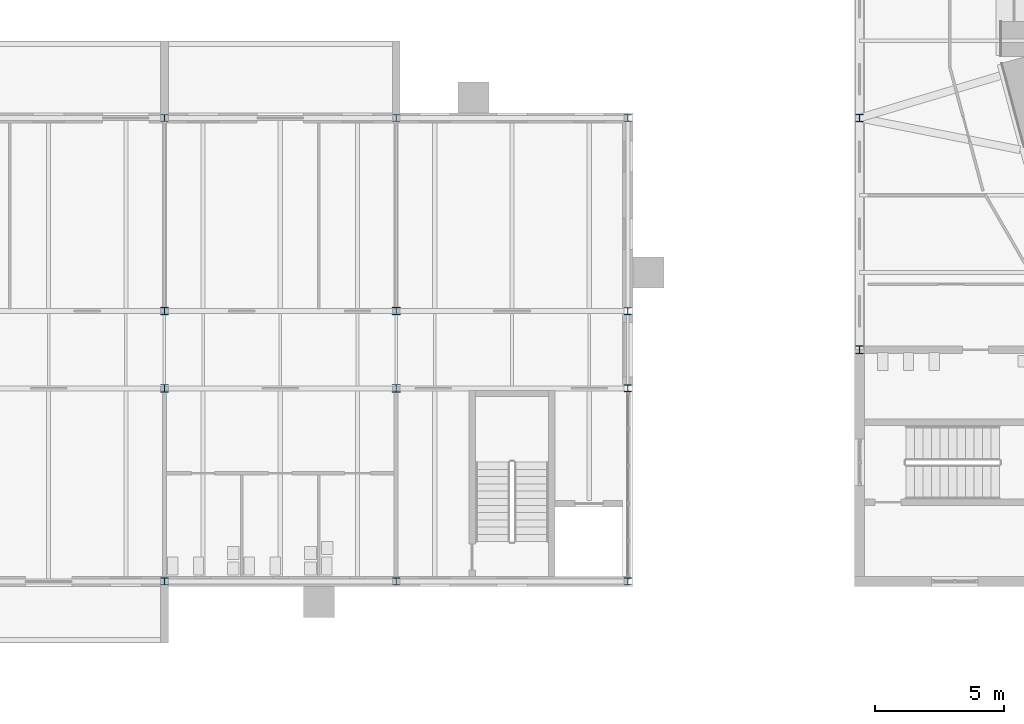
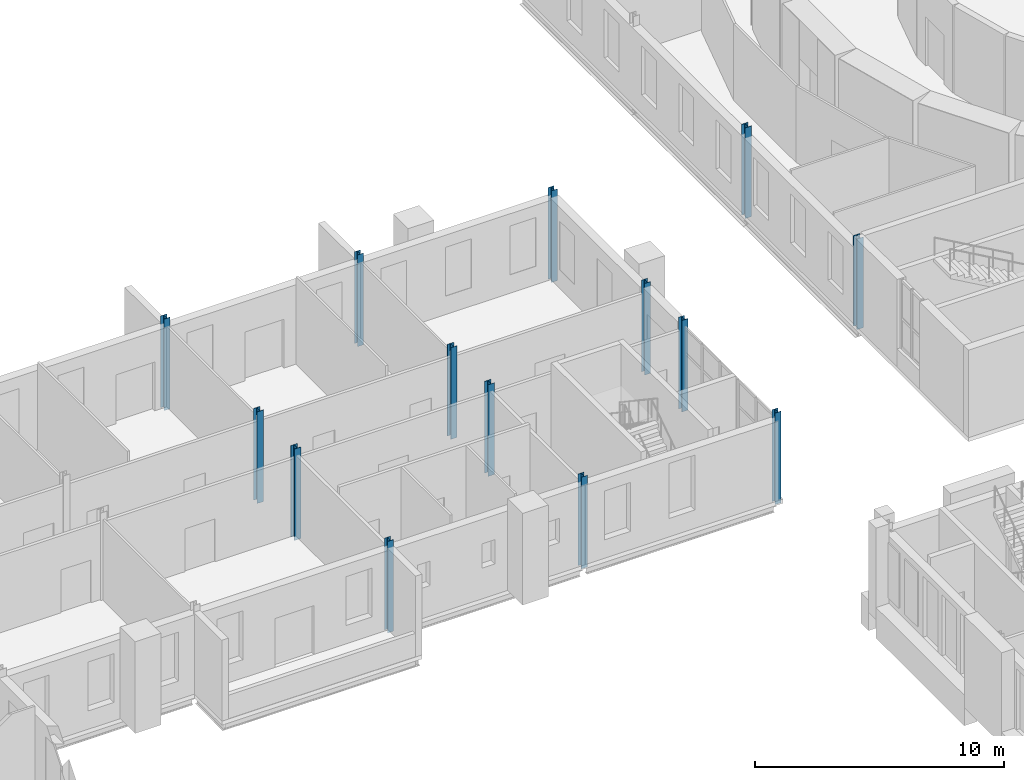
# One storey, part 10 of 131: 14 columns.
"""IFC4 building model written with IfcOpenShell, lengths in metres."""

from ifc_helpers import new_model, si_unit, direction, frame, origin, origin_2d, place, context, subcontext, project, spatial, i_section, extrude, material, material_profile, profile_set, type_object, element, save


model = new_model("IFC4")

# Units and contexts
model_context = context("Model", 3, precision=1e-05, world=origin(), true_north=direction((0.0, 1.0)))
body_context = subcontext(model_context, "Body", "Model", "MODEL_VIEW")
ifc_project = project(units=[si_unit("LENGTHUNIT", "METRE"), si_unit("AREAUNIT", "SQUARE_METRE"), si_unit("VOLUMEUNIT", "CUBIC_METRE"), si_unit("PLANEANGLEUNIT", "RADIAN"), si_unit("MASSUNIT", "GRAM", prefix="KILO")], contexts=[model_context])

# Site, building, storey
site_placement = place(None, origin())
site = spatial("IfcSite", under=ifc_project, at=site_placement, CompositionType="ELEMENT")
building_placement = place(site_placement, origin())
building = spatial("IfcBuilding", under=site, at=building_placement, Name="Golden Quay Civic Hall", CompositionType="ELEMENT")
storey_placement = place(building_placement, frame((0.0, 0.0, 9.89990234375)))
storey = spatial("IfcBuildingStorey", under=building, at=storey_placement, Name="L02", CompositionType="ELEMENT", Elevation=9.89990234375)

# Columns
ifc_material_1 = material(Name="Steel S355", Category="steel")
ifc_material_profile_1 = material_profile(ifc_material_1, i_section(OverallWidth=0.280029296875, OverallDepth=0.27001953125, WebThickness=0.008056640625, FlangeThickness=0.012939453125, FilletRadius=0.02392578125, at=origin_2d()), Name="HEA 280")
ifc_profile_set_1 = profile_set([ifc_material_profile_1], Name="Steel S355")
column_type_1 = type_object("IfcColumnType", Name="Steel column HEA 280", PredefinedType="COLUMN", material=ifc_profile_set_1)
for number, where, z_axis, x_axis, name in (
    (1, (36.0, 63.0, -0.199951171875), (0.0, 0.0, 1.0), (1.0, 0.0, 0.0), "Column 36/63 L02"),
    (2, (36.0, 81.0, -0.199951171875), (0.0, 0.0, 1.0), (1.0, 0.0, 0.0), "Column 36/81 L02"),
    (3, (45.0, 63.0, -0.199951171875), (0.0, 0.0, 1.0), (1.0, 0.0, 0.0), "Column 45/63 L02"),
    (4, (45.0, 81.0, -0.199951171875), (0.0, 0.0, 1.0), (1.0, 0.0, 0.0), "Column 45/81 L02"),
    (5, (54.0, 63.0, -0.199951171875), (0.0, 0.0, 1.0), (1.0, 0.0, 0.0), "Column 54/63 L02"),
    (6, (54.0, 70.5, -0.199951171875), (0.0, 0.0, 1.0), (1.0, 0.0, 0.0), "Column 54/70.5 L02"),
    (7, (54.0, 73.5, -0.199951171875), (0.0, 0.0, 1.0), (1.0, 0.0, 0.0), "Column 54/73.5 L02"),
    (8, (54.0, 81.0, -0.199951171875), (0.0, 0.0, 1.0), (1.0, 0.0, 0.0), "Column 54/81 L02"),
):
    element("IfcColumn", number, at=place(storey_placement, frame(where, z_axis=z_axis, x_axis=x_axis)), inside=storey, type_object=column_type_1, Name=name, PredefinedType="COLUMN", context=body_context, shape_type="SweptSolid", body=[
        extrude(i_section(OverallWidth=0.280029296875, OverallDepth=0.27001953125, WebThickness=0.008056640625, FlangeThickness=0.012939453125, FilletRadius=0.02392578125, at=origin_2d()), origin(), (0.0, 0.0, 1.0), 4.5),
    ])
ifc_material_2 = material(Name="Steel S355", Category="steel")
ifc_material_profile_2 = material_profile(ifc_material_2, i_section(OverallWidth=0.300048828125, OverallDepth=0.2900390625, WebThickness=0.008544921875, FlangeThickness=0.013916015625, FilletRadius=0.027099609375, at=origin_2d()), Name="HEA 300")
ifc_profile_set_2 = profile_set([ifc_material_profile_2], Name="Steel S355")
column_type_2 = type_object("IfcColumnType", Name="Steel column HEA 300", PredefinedType="COLUMN", material=ifc_profile_set_2)
for number, where, z_axis, x_axis, name in (
    (9, (36.0, 70.5, -0.199951171875), (0.0, 0.0, 1.0), (1.0, 0.0, 0.0), "Column 36/70.5 L02"),
    (10, (36.0, 73.5, -0.199951171875), (0.0, 0.0, 1.0), (1.0, 0.0, 0.0), "Column 36/73.5 L02"),
    (11, (45.0, 70.5, -0.199951171875), (0.0, 0.0, 1.0), (1.0, 0.0, 0.0), "Column 45/70.5 L02"),
    (12, (45.0, 73.5, -0.199951171875), (0.0, 0.0, 1.0), (1.0, 0.0, 0.0), "Column 45/73.5 L02"),
):
    element("IfcColumn", number, at=place(storey_placement, frame(where, z_axis=z_axis, x_axis=x_axis)), inside=storey, type_object=column_type_2, Name=name, PredefinedType="COLUMN", context=body_context, shape_type="SweptSolid", body=[
        extrude(i_section(OverallWidth=0.300048828125, OverallDepth=0.2900390625, WebThickness=0.008544921875, FlangeThickness=0.013916015625, FilletRadius=0.027099609375, at=origin_2d()), origin(), (0.0, 0.0, 1.0), 4.5),
    ])
ifc_material_3 = material(Name="Steel S355", Category="steel")
ifc_material_profile_3 = material_profile(ifc_material_3, i_section(OverallWidth=0.300048828125, OverallDepth=0.300048828125, WebThickness=0.010986328125, FlangeThickness=0.01904296875, FilletRadius=0.027099609375, at=origin_2d()), Name="HEB 300")
ifc_profile_set_3 = profile_set([ifc_material_profile_3], Name="Steel S355")
column_type_3 = type_object("IfcColumnType", Name="Steel column HEB 300", PredefinedType="COLUMN", material=ifc_profile_set_3)
for number, where, z_axis, x_axis, name in (
    (13, (63.0, 81.0, -0.199951171875), (0.0, 0.0, 1.0), (1.0, 0.0, 0.0), "Base column 5"),
    (14, (63.0, 72.0, -0.199951171875), (0.0, 0.0, 1.0), (1.0, 0.0, 0.0), "Base column 13"),
):
    element("IfcColumn", number, at=place(storey_placement, frame(where, z_axis=z_axis, x_axis=x_axis)), inside=storey, type_object=column_type_3, Name=name, PredefinedType="COLUMN", context=body_context, shape_type="SweptSolid", body=[
        extrude(i_section(OverallWidth=0.300048828125, OverallDepth=0.300048828125, WebThickness=0.010986328125, FlangeThickness=0.01904296875, FilletRadius=0.027099609375, at=origin_2d()), origin(), (0.0, 0.0, 1.0), 4.449951171875),
    ])

save(model, "model.ifc")
